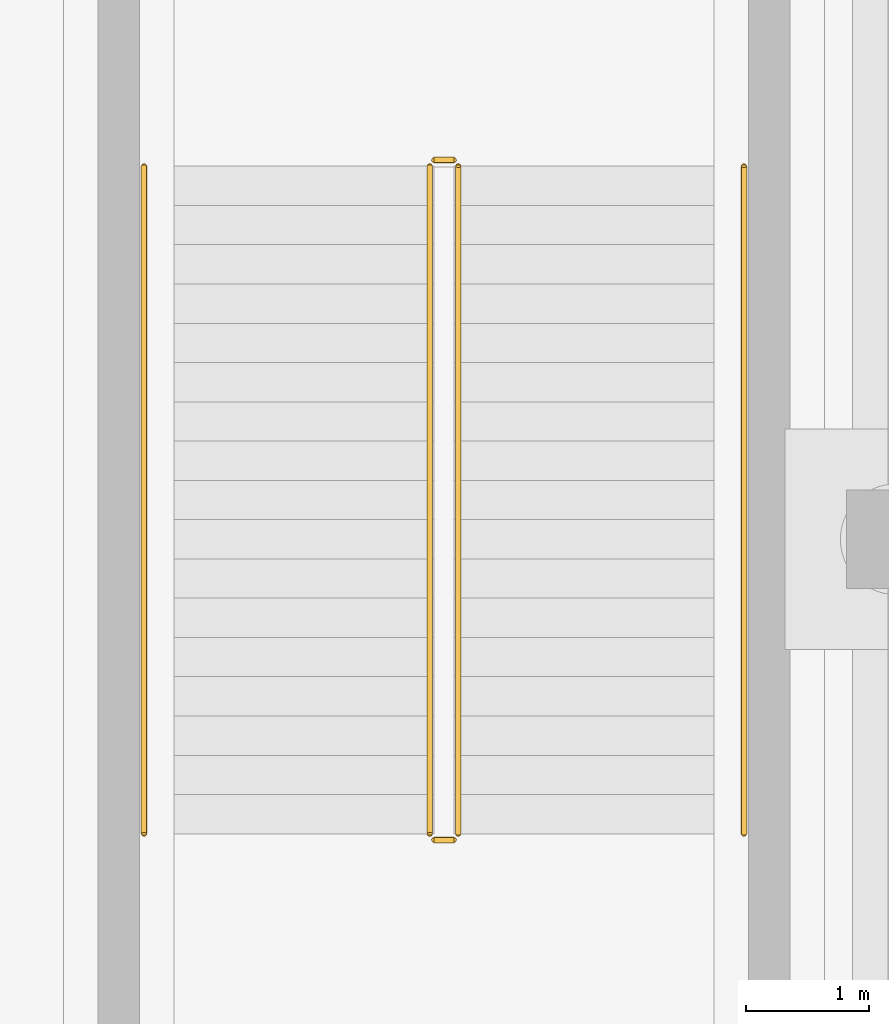
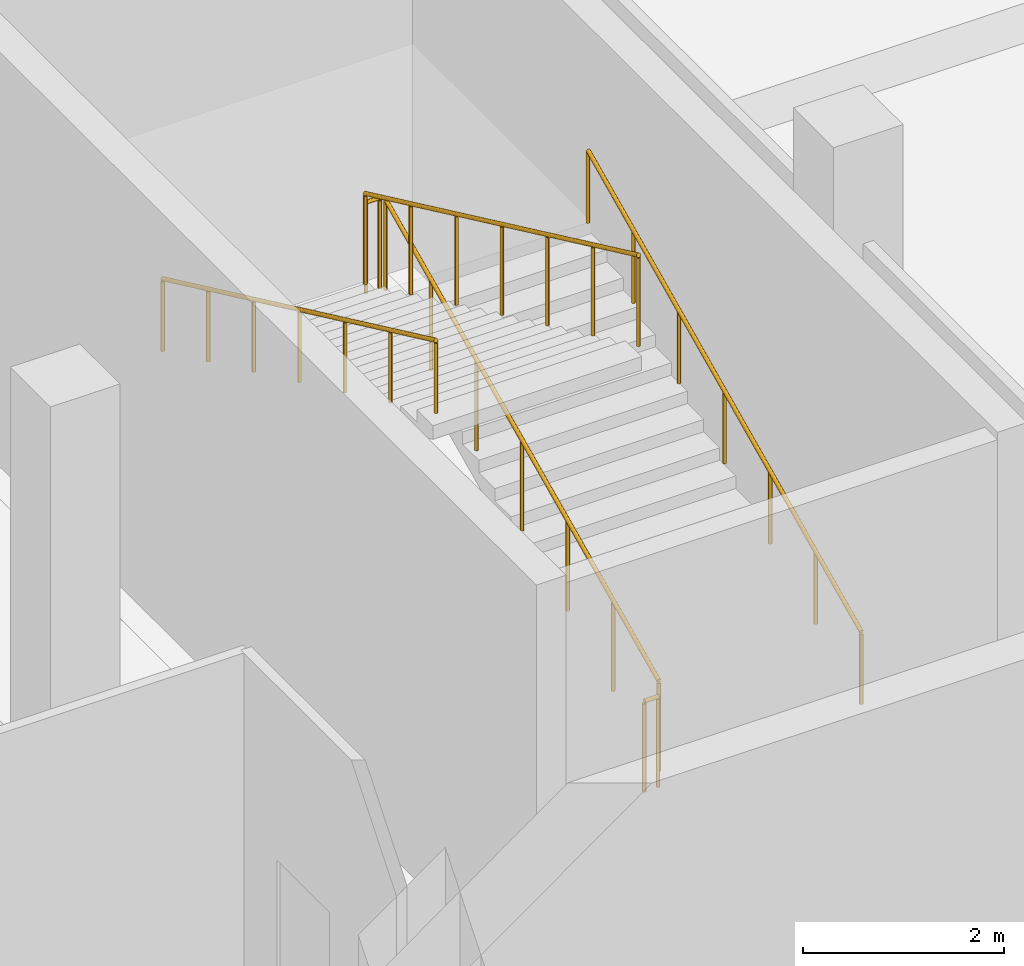
# One storey, part 30 of 39: 6 railings.
"""IFC4 building model written with IfcOpenShell, lengths in metres."""

from ifc_helpers import new_model, si_unit, direction, frame, origin, origin_2d, place, context, subcontext, project, spatial, circle, extrude, material, layer, layer_set, type_object, element, save


model = new_model("IFC4")

# Units and contexts
model_context = context("Model", 3, precision=1e-05, world=origin(), true_north=direction((0.0, 1.0)))
body_context = subcontext(model_context, "Body", "Model", "MODEL_VIEW")
ifc_project = project(units=[si_unit("LENGTHUNIT", "METRE"), si_unit("AREAUNIT", "SQUARE_METRE"), si_unit("VOLUMEUNIT", "CUBIC_METRE"), si_unit("PLANEANGLEUNIT", "RADIAN"), si_unit("MASSUNIT", "GRAM", prefix="KILO")], contexts=[model_context])

# Site, building, storey
site_placement = place(None, origin())
site = spatial("IfcSite", under=ifc_project, at=site_placement, CompositionType="ELEMENT")
building_placement = place(site_placement, origin())
building = spatial("IfcBuilding", under=site, at=building_placement, Name="Celestram Park Convention Centre", CompositionType="ELEMENT")
storey_placement = place(building_placement, frame((0.0, 0.0, -5.39990234375)))
storey = spatial("IfcBuildingStorey", under=building, at=storey_placement, Name="B1", CompositionType="ELEMENT", Elevation=-5.39990234375)

# Railings
ifc_material_1 = material(Name="Stainless Steel AISI 316L & Laminated Glass", Category="steel")
ifc_layer_1 = layer(ifc_material_1, 0.06005859375)
ifc_layer_set_1 = layer_set([ifc_layer_1], Name="Stainless Steel AISI 316L & Laminated Glass")
railing_type_1 = type_object("IfcRailingType", Name="ARC-RL-GRD1120", PredefinedType="GUARDRAIL", material=ifc_layer_set_1)
railing_1_placement = place(storey_placement, frame((32.43603515625, 26.39990234375, 0.14990234375)))
element("IfcRailing", 1, at=railing_1_placement, inside=storey, type_object=railing_type_1, Name="B1 ST-17 stair guard 1", PredefinedType="GUARDRAIL", context=body_context, shape_type="SweptSolid", body=[
    extrude(circle(Radius=0.02392578125, at=origin_2d()), frame((0.0, 0.0, 1.09619140625), z_axis=(0.0, 0.905461375974, 0.424428670827), x_axis=(-1.0, 0.0, 0.0)), (0.0, 0.0, 1.0), 6.00830078125),
    extrude(circle(Radius=0.02099609375, at=origin_2d()), origin(), (0.0, 0.0, 1.0), 1.072021484375),
    extrude(circle(Radius=0.02099609375, at=origin_2d()), frame((0.0, 0.90673828125, 0.425048828125)), (0.0, 0.0, 1.0), 1.072021484375),
    extrude(circle(Radius=0.02099609375, at=origin_2d()), frame((0.0, 1.8134765625, 0.85009765625)), (0.0, 0.0, 1.0), 1.072021484375),
    extrude(circle(Radius=0.02099609375, at=origin_2d()), frame((0.0, 2.72021484375, 1.27490234375)), (0.0, 0.0, 1.0), 1.072021484375),
    extrude(circle(Radius=0.02099609375, at=origin_2d()), frame((0.0, 3.626708984375, 1.699951171875)), (0.0, 0.0, 1.0), 1.072021484375),
    extrude(circle(Radius=0.02099609375, at=origin_2d()), frame((0.0, 4.533447265625, 2.125)), (0.0, 0.0, 1.0), 1.072021484375),
    extrude(circle(Radius=0.02099609375, at=origin_2d()), frame((0.0, 5.440185546875, 2.550048828125)), (0.0, 0.0, 1.0), 1.072021484375),
])
railing_2_placement = place(storey_placement, frame((32.39990234375, 31.889892578125, 2.699951171875)))
element("IfcRailing", 2, at=railing_2_placement, inside=storey, type_object=railing_type_1, Name="B1 ST-17 stair guard 2", PredefinedType="GUARDRAIL", context=body_context, shape_type="SweptSolid", body=[
    extrude(circle(Radius=0.02392578125, at=origin_2d()), frame((0.0, 0.0, 1.09619140625), z_axis=(-1.0, 0.0, 0.0), x_axis=(0.0, -1.0, 0.0)), (0.0, 0.0, 1.0), 0.159912109375),
    extrude(circle(Radius=0.02099609375, at=origin_2d()), origin(), (0.0, 0.0, 1.0), 1.072021484375),
    extrude(circle(Radius=0.02099609375, at=origin_2d()), frame((-0.159912109375, 0.0, 0.0)), (0.0, 0.0, 1.0), 1.072021484375),
])
railing_3_placement = place(storey_placement, frame((32.2041015625, 31.840087890625, 2.849853515625)))
element("IfcRailing", 3, at=railing_3_placement, inside=storey, type_object=railing_type_1, Name="B1 ST-17 stair guard 3", PredefinedType="GUARDRAIL", context=body_context, shape_type="SweptSolid", body=[
    extrude(circle(Radius=0.02392578125, at=origin_2d()), frame((0.0, 0.0, 1.09619140625), z_axis=(0.0, -0.905461375974, 0.424428670827), x_axis=(1.0, 0.0, 0.0)), (0.0, 0.0, 1.0), 6.00830078125),
    extrude(circle(Radius=0.02099609375, at=origin_2d()), origin(), (0.0, 0.0, 1.0), 1.072021484375),
    extrude(circle(Radius=0.02099609375, at=origin_2d()), frame((0.0, -0.90673828125, 0.425048828125)), (0.0, 0.0, 1.0), 1.072021484375),
    extrude(circle(Radius=0.02099609375, at=origin_2d()), frame((0.0, -1.8134765625, 0.85009765625)), (0.0, 0.0, 1.0), 1.072021484375),
    extrude(circle(Radius=0.02099609375, at=origin_2d()), frame((0.0, -2.72021484375, 1.27490234375)), (0.0, 0.0, 1.0), 1.072021484375),
    extrude(circle(Radius=0.02099609375, at=origin_2d()), frame((0.0, -3.626708984375, 1.699951171875)), (0.0, 0.0, 1.0), 1.072021484375),
    extrude(circle(Radius=0.02099609375, at=origin_2d()), frame((0.0, -4.533447265625, 2.125)), (0.0, 0.0, 1.0), 1.072021484375),
    extrude(circle(Radius=0.02099609375, at=origin_2d()), frame((0.0, -5.440185546875, 2.550048828125)), (0.0, 0.0, 1.0), 1.072021484375),
])
railing_4_placement = place(storey_placement, frame((32.39990234375, 26.35009765625, 0.0)))
element("IfcRailing", 4, at=railing_4_placement, inside=storey, type_object=railing_type_1, Name="B1 ST-17 stair guard 4", PredefinedType="GUARDRAIL", context=body_context, shape_type="SweptSolid", body=[
    extrude(circle(Radius=0.02392578125, at=origin_2d()), frame((0.0, 0.0, 1.09619140625), z_axis=(-1.0, 0.0, 0.0), x_axis=(0.0, -1.0, 0.0)), (0.0, 0.0, 1.0), 0.159912109375),
    extrude(circle(Radius=0.02099609375, at=origin_2d()), origin(), (0.0, 0.0, 1.0), 1.072021484375),
    extrude(circle(Radius=0.02099609375, at=origin_2d()), frame((-0.159912109375, 0.0, 0.0)), (0.0, 0.0, 1.0), 1.072021484375),
])
ifc_material_2 = material(Name="Brushed Stainless Steel AISI 304", Category="steel")
ifc_layer_2 = layer(ifc_material_2, 0.048095703125)
ifc_layer_set_2 = layer_set([ifc_layer_2], Name="Brushed Stainless Steel AISI 304")
railing_type_2 = type_object("IfcRailingType", Name="ARC-RL-HND915", PredefinedType="HANDRAIL", material=ifc_layer_set_2)
railing_5_placement = place(storey_placement, frame((34.763916015625, 26.39990234375, 0.14990234375)))
element("IfcRailing", 5, at=railing_5_placement, inside=storey, type_object=railing_type_2, Name="B1 ST-17 stair handrail 1", PredefinedType="HANDRAIL", context=body_context, shape_type="SweptSolid", body=[
    extrude(circle(Radius=0.02392578125, at=origin_2d()), frame((0.0, 0.0, 0.8759765625), z_axis=(0.0, 0.905461375974, 0.424428670827), x_axis=(-1.0, 0.0, 0.0)), (0.0, 0.0, 1.0), 6.00830078125),
    extrude(circle(Radius=0.02099609375, at=origin_2d()), origin(), (0.0, 0.0, 1.0), 0.851806640625),
    extrude(circle(Radius=0.02099609375, at=origin_2d()), frame((0.0, 0.90673828125, 0.425048828125)), (0.0, 0.0, 1.0), 0.851806640625),
    extrude(circle(Radius=0.02099609375, at=origin_2d()), frame((0.0, 1.8134765625, 0.85009765625)), (0.0, 0.0, 1.0), 0.851806640625),
    extrude(circle(Radius=0.02099609375, at=origin_2d()), frame((0.0, 2.72021484375, 1.27490234375)), (0.0, 0.0, 1.0), 0.851806640625),
    extrude(circle(Radius=0.02099609375, at=origin_2d()), frame((0.0, 3.626708984375, 1.699951171875)), (0.0, 0.0, 1.0), 0.851806640625),
    extrude(circle(Radius=0.02099609375, at=origin_2d()), frame((0.0, 4.533447265625, 2.125)), (0.0, 0.0, 1.0), 0.851806640625),
    extrude(circle(Radius=0.02099609375, at=origin_2d()), frame((0.0, 5.440185546875, 2.550048828125)), (0.0, 0.0, 1.0), 0.851806640625),
])
railing_6_placement = place(storey_placement, frame((29.8759765625, 31.840087890625, 2.849853515625)))
element("IfcRailing", 6, at=railing_6_placement, inside=storey, type_object=railing_type_2, Name="B1 ST-17 stair handrail 2", PredefinedType="HANDRAIL", context=body_context, shape_type="SweptSolid", body=[
    extrude(circle(Radius=0.02392578125, at=origin_2d()), frame((0.0, 0.0, 0.8759765625), z_axis=(0.0, -0.905461375974, 0.424428670827), x_axis=(1.0, 0.0, 0.0)), (0.0, 0.0, 1.0), 6.00830078125),
    extrude(circle(Radius=0.02099609375, at=origin_2d()), origin(), (0.0, 0.0, 1.0), 0.851806640625),
    extrude(circle(Radius=0.02099609375, at=origin_2d()), frame((0.0, -0.90673828125, 0.425048828125)), (0.0, 0.0, 1.0), 0.851806640625),
    extrude(circle(Radius=0.02099609375, at=origin_2d()), frame((0.0, -1.8134765625, 0.85009765625)), (0.0, 0.0, 1.0), 0.851806640625),
    extrude(circle(Radius=0.02099609375, at=origin_2d()), frame((0.0, -2.72021484375, 1.27490234375)), (0.0, 0.0, 1.0), 0.851806640625),
    extrude(circle(Radius=0.02099609375, at=origin_2d()), frame((0.0, -3.626708984375, 1.699951171875)), (0.0, 0.0, 1.0), 0.851806640625),
    extrude(circle(Radius=0.02099609375, at=origin_2d()), frame((0.0, -4.533447265625, 2.125)), (0.0, 0.0, 1.0), 0.851806640625),
    extrude(circle(Radius=0.02099609375, at=origin_2d()), frame((0.0, -5.440185546875, 2.550048828125)), (0.0, 0.0, 1.0), 0.851806640625),
])

save(model, "model.ifc")
